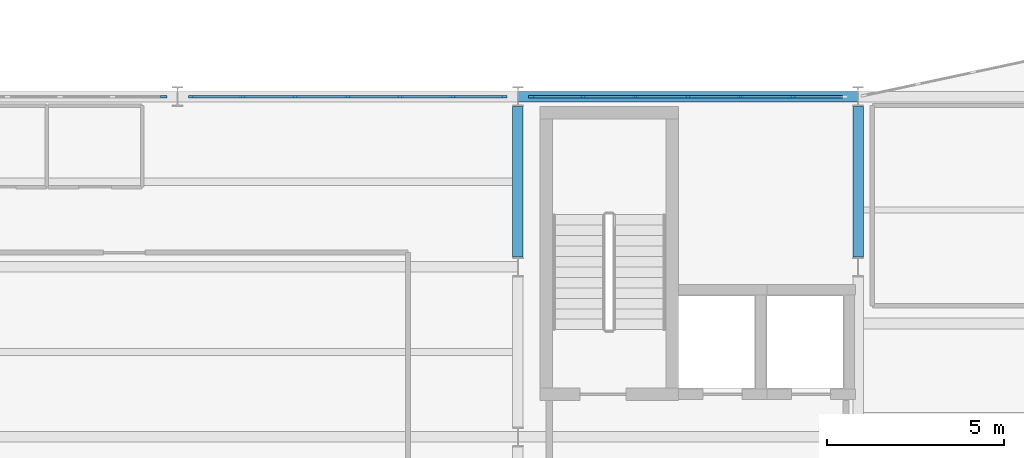
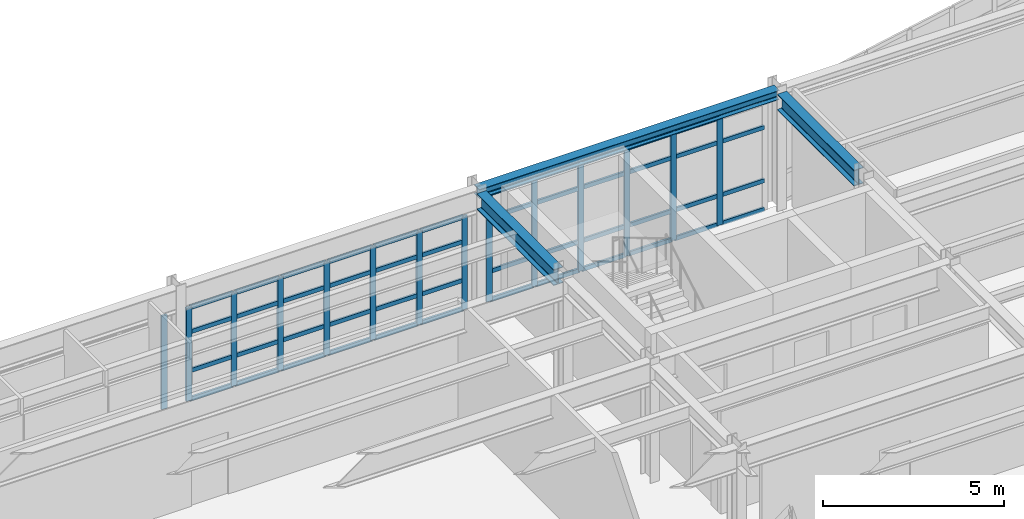
# One storey, part 32 of 76: 61 members, 3 beams, 3 elements without a shape of their own.
"""IFC4 building model written with IfcOpenShell, lengths in metres."""

from ifc_helpers import new_model, si_unit, direction, frame, origin, origin_2d, place, context, subcontext, project, spatial, rectangle, i_section, extrude, material, layer, layer_set, material_profile, profile_set, type_object, element, aggregate, save


model = new_model("IFC4")

# Units and contexts
model_context = context("Model", 3, precision=1e-05, world=origin(), true_north=direction((0.0, 1.0)))
body_context = subcontext(model_context, "Body", "Model", "MODEL_VIEW")
ifc_project = project(units=[si_unit("LENGTHUNIT", "METRE"), si_unit("AREAUNIT", "SQUARE_METRE"), si_unit("VOLUMEUNIT", "CUBIC_METRE"), si_unit("PLANEANGLEUNIT", "RADIAN"), si_unit("MASSUNIT", "GRAM", prefix="KILO")], contexts=[model_context])

# Site, building, storey
site_placement = place(None, origin())
site = spatial("IfcSite", under=ifc_project, at=site_placement, CompositionType="ELEMENT")
building_placement = place(site_placement, origin())
building = spatial("IfcBuilding", under=site, at=building_placement, Name="Nordkorset Police Headquarters", CompositionType="ELEMENT")
storey_placement = place(building_placement, frame((0.0, 0.0, 13.64990234375)))
storey = spatial("IfcBuildingStorey", under=building, at=storey_placement, Name="L03", CompositionType="ELEMENT", Elevation=13.64990234375)

# Curtain wall, member
ifc_material_1 = material(Name="Aluminium alloy AW-6060", Category="aluminium")
ifc_layer_1 = layer(ifc_material_1, 0.179931640625, Name="Aluminium alloy AW-6060")
ifc_layer_set_1 = layer_set([ifc_layer_1], Name="Aluminium alloy AW-6060")
curtain_wall_type_1 = type_object("IfcCurtainWallType", Name="CW_Unit_888x316", PredefinedType="USERDEFINED", material=ifc_layer_set_1)
curtain_wall_1_placement = place(storey_placement, origin())
curtain_wall_1 = element("IfcCurtainWall", 1, at=curtain_wall_1_placement, inside=storey, type_object=curtain_wall_type_1, Name="Unitised Curtain Wall L03 V1N-0", ObjectType="UNITISED CURTAIN WALL", PredefinedType="USERDEFINED")
ifc_material_2 = material(Name="Aluminium alloy AW-6060", Category="aluminium")
ifc_material_profile_1 = material_profile(ifc_material_2, rectangle(XDim=0.06494140625, YDim=0.179931640625, at=origin_2d()), Name="ALU MULL 65x180")
ifc_profile_set_1 = profile_set([ifc_material_profile_1], Name="Aluminium alloy AW-6060")
member_type_1 = type_object("IfcMemberType", Name="CW_Mullion_65x180", PredefinedType="MULLION", material=ifc_profile_set_1)
member_1_placement = place(storey_placement, frame((9.20751953125, 116.800048828125, 0.0), z_axis=(0.0, 0.0, 1.0), x_axis=(0.0, 1.0, 0.0)))
member_1 = element("IfcMember", 2, at=member_1_placement, type_object=member_type_1, Name="CW-109 mullion 7", PredefinedType="MULLION", context=body_context, shape_type="SweptSolid", body=[
    extrude(rectangle(XDim=0.06494140625, YDim=0.179931640625, at=origin_2d()), origin(), (0.0, 0.0, 1.0), 3.16015625),
])
aggregate(curtain_wall_1, [member_1])

# Curtain wall, members
curtain_wall_2_placement = place(storey_placement, origin())
curtain_wall_2 = element("IfcCurtainWall", 3, at=curtain_wall_2_placement, inside=storey, type_object=curtain_wall_type_1, Name="Unitised Curtain Wall L03 V1N-1", ObjectType="UNITISED CURTAIN WALL", PredefinedType="USERDEFINED")
member_2_placement = place(storey_placement, frame((9.992431640625, 116.800048828125, 0.0), z_axis=(0.0, 0.0, 1.0), x_axis=(0.0, 1.0, 0.0)))
member_2 = element("IfcMember", 4, at=member_2_placement, type_object=member_type_1, Name="CW-109 mullion 1", PredefinedType="MULLION", context=body_context, shape_type="SweptSolid", body=[
    extrude(rectangle(XDim=0.06494140625, YDim=0.179931640625, at=origin_2d()), origin(), (0.0, 0.0, 1.0), 3.16015625),
])
member_3_placement = place(storey_placement, frame((11.43994140625, 116.800048828125, 0.0), z_axis=(0.0, 0.0, 1.0), x_axis=(0.0, 1.0, 0.0)))
member_3 = element("IfcMember", 5, at=member_3_placement, type_object=member_type_1, Name="CW-109 mullion 2", PredefinedType="MULLION", context=body_context, shape_type="SweptSolid", body=[
    extrude(rectangle(XDim=0.06494140625, YDim=0.179931640625, at=origin_2d()), origin(), (0.0, 0.0, 1.0), 3.16015625),
])
member_4_placement = place(storey_placement, frame((12.919921875, 116.800048828125, 0.0), z_axis=(0.0, 0.0, 1.0), x_axis=(0.0, 1.0, 0.0)))
member_4 = element("IfcMember", 6, at=member_4_placement, type_object=member_type_1, Name="CW-109 mullion 3", PredefinedType="MULLION", context=body_context, shape_type="SweptSolid", body=[
    extrude(rectangle(XDim=0.06494140625, YDim=0.179931640625, at=origin_2d()), origin(), (0.0, 0.0, 1.0), 3.16015625),
])
member_5_placement = place(storey_placement, frame((14.39990234375, 116.800048828125, 0.0), z_axis=(0.0, 0.0, 1.0), x_axis=(0.0, 1.0, 0.0)))
member_5 = element("IfcMember", 7, at=member_5_placement, type_object=member_type_1, Name="CW-109 mullion 4", PredefinedType="MULLION", context=body_context, shape_type="SweptSolid", body=[
    extrude(rectangle(XDim=0.06494140625, YDim=0.179931640625, at=origin_2d()), origin(), (0.0, 0.0, 1.0), 3.16015625),
])
member_6_placement = place(storey_placement, frame((15.8798828125, 116.800048828125, 0.0), z_axis=(0.0, 0.0, 1.0), x_axis=(0.0, 1.0, 0.0)))
member_6 = element("IfcMember", 8, at=member_6_placement, type_object=member_type_1, Name="CW-109 mullion 5", PredefinedType="MULLION", context=body_context, shape_type="SweptSolid", body=[
    extrude(rectangle(XDim=0.06494140625, YDim=0.179931640625, at=origin_2d()), origin(), (0.0, 0.0, 1.0), 3.16015625),
])
member_7_placement = place(storey_placement, frame((17.360107421875, 116.800048828125, 0.0), z_axis=(0.0, 0.0, 1.0), x_axis=(0.0, 1.0, 0.0)))
member_7 = element("IfcMember", 9, at=member_7_placement, type_object=member_type_1, Name="CW-109 mullion 6", PredefinedType="MULLION", context=body_context, shape_type="SweptSolid", body=[
    extrude(rectangle(XDim=0.06494140625, YDim=0.179931640625, at=origin_2d()), origin(), (0.0, 0.0, 1.0), 3.16015625),
])
member_8_placement = place(storey_placement, frame((18.8076171875, 116.800048828125, 0.0), z_axis=(0.0, 0.0, 1.0), x_axis=(0.0, 1.0, 0.0)))
member_8 = element("IfcMember", 10, at=member_8_placement, type_object=member_type_1, Name="CW-109 mullion 7", PredefinedType="MULLION", context=body_context, shape_type="SweptSolid", body=[
    extrude(rectangle(XDim=0.06494140625, YDim=0.179931640625, at=origin_2d()), origin(), (0.0, 0.0, 1.0), 3.16015625),
])

ifc_material_3 = material(Name="Aluminium alloy AW-6060", Category="aluminium")
ifc_layer_2 = layer(ifc_material_3, 0.179931640625, Name="Aluminium alloy AW-6060")
ifc_layer_set_2 = layer_set([ifc_layer_2], Name="Aluminium alloy AW-6060")
curtain_wall_type_2 = type_object("IfcCurtainWallType", Name="CW_Unit_888x365", PredefinedType="USERDEFINED", material=ifc_layer_set_2)
curtain_wall_3_placement = place(storey_placement, origin())
curtain_wall_3 = element("IfcCurtainWall", 11, at=curtain_wall_3_placement, inside=storey, type_object=curtain_wall_type_2, Name="Unitised Curtain Wall L03 V1N-2", ObjectType="UNITISED CURTAIN WALL", PredefinedType="USERDEFINED")
member_9_placement = place(storey_placement, frame((19.592529296875, 116.800048828125, 0.0), z_axis=(0.0, 0.0, 1.0), x_axis=(0.0, 1.0, 0.0)))
member_9 = element("IfcMember", 12, at=member_9_placement, type_object=member_type_1, Name="CW-26 mullion 1", PredefinedType="MULLION", context=body_context, shape_type="SweptSolid", body=[
    extrude(rectangle(XDim=0.06494140625, YDim=0.179931640625, at=origin_2d()), origin(), (0.0, 0.0, 1.0), 3.650146484375),
])
member_10_placement = place(storey_placement, frame((21.0400390625, 116.800048828125, 0.0), z_axis=(0.0, 0.0, 1.0), x_axis=(0.0, 1.0, 0.0)))
member_10 = element("IfcMember", 13, at=member_10_placement, type_object=member_type_1, Name="CW-26 mullion 2", PredefinedType="MULLION", context=body_context, shape_type="SweptSolid", body=[
    extrude(rectangle(XDim=0.06494140625, YDim=0.179931640625, at=origin_2d()), origin(), (0.0, 0.0, 1.0), 3.650146484375),
])
member_11_placement = place(storey_placement, frame((22.52001953125, 116.800048828125, 0.0), z_axis=(0.0, 0.0, 1.0), x_axis=(0.0, 1.0, 0.0)))
member_11 = element("IfcMember", 14, at=member_11_placement, type_object=member_type_1, Name="CW-26 mullion 3", PredefinedType="MULLION", context=body_context, shape_type="SweptSolid", body=[
    extrude(rectangle(XDim=0.06494140625, YDim=0.179931640625, at=origin_2d()), origin(), (0.0, 0.0, 1.0), 3.650146484375),
])
member_12_placement = place(storey_placement, frame((24.0, 116.800048828125, 0.0), z_axis=(0.0, 0.0, 1.0), x_axis=(0.0, 1.0, 0.0)))
member_12 = element("IfcMember", 15, at=member_12_placement, type_object=member_type_1, Name="CW-26 mullion 4", PredefinedType="MULLION", context=body_context, shape_type="SweptSolid", body=[
    extrude(rectangle(XDim=0.06494140625, YDim=0.179931640625, at=origin_2d()), origin(), (0.0, 0.0, 1.0), 3.650146484375),
])
member_13_placement = place(storey_placement, frame((25.47998046875, 116.800048828125, 0.0), z_axis=(0.0, 0.0, 1.0), x_axis=(0.0, 1.0, 0.0)))
member_13 = element("IfcMember", 16, at=member_13_placement, type_object=member_type_1, Name="CW-26 mullion 5", PredefinedType="MULLION", context=body_context, shape_type="SweptSolid", body=[
    extrude(rectangle(XDim=0.06494140625, YDim=0.179931640625, at=origin_2d()), origin(), (0.0, 0.0, 1.0), 3.650146484375),
])
member_14_placement = place(storey_placement, frame((26.9599609375, 116.800048828125, 0.0), z_axis=(0.0, 0.0, 1.0), x_axis=(0.0, 1.0, 0.0)))
member_14 = element("IfcMember", 17, at=member_14_placement, type_object=member_type_1, Name="CW-26 mullion 6", PredefinedType="MULLION", context=body_context, shape_type="SweptSolid", body=[
    extrude(rectangle(XDim=0.06494140625, YDim=0.179931640625, at=origin_2d()), origin(), (0.0, 0.0, 1.0), 3.650146484375),
])

# Member
ifc_material_4 = material(Name="Aluminium alloy AW-6060", Category="aluminium")
ifc_material_profile_2 = material_profile(ifc_material_4, rectangle(XDim=0.06494140625, YDim=0.139892578125, at=origin_2d()), Name="ALU TRAN 65x140")
ifc_profile_set_2 = profile_set([ifc_material_profile_2], Name="Aluminium alloy AW-6060")
member_type_2 = type_object("IfcMemberType", Name="CW_Transom_65x140", PredefinedType="USERDEFINED", material=ifc_profile_set_2)
member_15_placement = place(storey_placement, frame((10.02490234375, 116.800048828125, 0.03271484375), z_axis=(1.0, 0.0, 0.0), x_axis=(0.0, 1.0, 0.0)))
member_15 = element("IfcMember", 18, at=member_15_placement, type_object=member_type_2, Name="CW-109 transom 1.1", ObjectType="TRANSOM", PredefinedType="USERDEFINED", context=body_context, shape_type="SweptSolid", body=[
    extrude(rectangle(XDim=0.06494140625, YDim=0.139892578125, at=origin_2d()), origin(), (0.0, 0.0, 1.0), 1.382568359375),
])

member_16_placement = place(storey_placement, frame((10.02490234375, 116.800048828125, 1.0), z_axis=(1.0, 0.0, 0.0), x_axis=(0.0, 1.0, 0.0)))
member_16 = element("IfcMember", 19, at=member_16_placement, type_object=member_type_2, Name="CW-109 transom 1.2", ObjectType="TRANSOM", PredefinedType="USERDEFINED", context=body_context, shape_type="SweptSolid", body=[
    extrude(rectangle(XDim=0.06494140625, YDim=0.139892578125, at=origin_2d()), origin(), (0.0, 0.0, 1.0), 1.382568359375),
])

member_17_placement = place(storey_placement, frame((10.02490234375, 116.800048828125, 2.31005859375), z_axis=(1.0, 0.0, 0.0), x_axis=(0.0, 1.0, 0.0)))
member_17 = element("IfcMember", 20, at=member_17_placement, type_object=member_type_2, Name="CW-109 transom 1.3", ObjectType="TRANSOM", PredefinedType="USERDEFINED", context=body_context, shape_type="SweptSolid", body=[
    extrude(rectangle(XDim=0.06494140625, YDim=0.139892578125, at=origin_2d()), origin(), (0.0, 0.0, 1.0), 1.382568359375),
])

member_18_placement = place(storey_placement, frame((10.02490234375, 116.800048828125, 3.127685546875), z_axis=(1.0, 0.0, 0.0), x_axis=(0.0, 1.0, 0.0)))
member_18 = element("IfcMember", 21, at=member_18_placement, type_object=member_type_2, Name="CW-109 transom 1.4", ObjectType="TRANSOM", PredefinedType="USERDEFINED", context=body_context, shape_type="SweptSolid", body=[
    extrude(rectangle(XDim=0.06494140625, YDim=0.139892578125, at=origin_2d()), origin(), (0.0, 0.0, 1.0), 1.382568359375),
])

member_19_placement = place(storey_placement, frame((11.472412109375, 116.800048828125, 0.03271484375), z_axis=(1.0, 0.0, 0.0), x_axis=(0.0, 1.0, 0.0)))
member_19 = element("IfcMember", 22, at=member_19_placement, type_object=member_type_2, Name="CW-109 transom 2.1", ObjectType="TRANSOM", PredefinedType="USERDEFINED", context=body_context, shape_type="SweptSolid", body=[
    extrude(rectangle(XDim=0.06494140625, YDim=0.139892578125, at=origin_2d()), origin(), (0.0, 0.0, 1.0), 1.4150390625),
])

member_20_placement = place(storey_placement, frame((11.472412109375, 116.800048828125, 1.0), z_axis=(1.0, 0.0, 0.0), x_axis=(0.0, 1.0, 0.0)))
member_20 = element("IfcMember", 23, at=member_20_placement, type_object=member_type_2, Name="CW-109 transom 2.2", ObjectType="TRANSOM", PredefinedType="USERDEFINED", context=body_context, shape_type="SweptSolid", body=[
    extrude(rectangle(XDim=0.06494140625, YDim=0.139892578125, at=origin_2d()), origin(), (0.0, 0.0, 1.0), 1.4150390625),
])

member_21_placement = place(storey_placement, frame((11.472412109375, 116.800048828125, 2.31005859375), z_axis=(1.0, 0.0, 0.0), x_axis=(0.0, 1.0, 0.0)))
member_21 = element("IfcMember", 24, at=member_21_placement, type_object=member_type_2, Name="CW-109 transom 2.3", ObjectType="TRANSOM", PredefinedType="USERDEFINED", context=body_context, shape_type="SweptSolid", body=[
    extrude(rectangle(XDim=0.06494140625, YDim=0.139892578125, at=origin_2d()), origin(), (0.0, 0.0, 1.0), 1.4150390625),
])

member_22_placement = place(storey_placement, frame((11.472412109375, 116.800048828125, 3.127685546875), z_axis=(1.0, 0.0, 0.0), x_axis=(0.0, 1.0, 0.0)))
member_22 = element("IfcMember", 25, at=member_22_placement, type_object=member_type_2, Name="CW-109 transom 2.4", ObjectType="TRANSOM", PredefinedType="USERDEFINED", context=body_context, shape_type="SweptSolid", body=[
    extrude(rectangle(XDim=0.06494140625, YDim=0.139892578125, at=origin_2d()), origin(), (0.0, 0.0, 1.0), 1.4150390625),
])

member_23_placement = place(storey_placement, frame((12.952392578125, 116.800048828125, 0.03271484375), z_axis=(1.0, 0.0, 0.0), x_axis=(0.0, 1.0, 0.0)))
member_23 = element("IfcMember", 26, at=member_23_placement, type_object=member_type_2, Name="CW-109 transom 3.1", ObjectType="TRANSOM", PredefinedType="USERDEFINED", context=body_context, shape_type="SweptSolid", body=[
    extrude(rectangle(XDim=0.06494140625, YDim=0.139892578125, at=origin_2d()), origin(), (0.0, 0.0, 1.0), 1.4150390625),
])

member_24_placement = place(storey_placement, frame((12.952392578125, 116.800048828125, 1.0), z_axis=(1.0, 0.0, 0.0), x_axis=(0.0, 1.0, 0.0)))
member_24 = element("IfcMember", 27, at=member_24_placement, type_object=member_type_2, Name="CW-109 transom 3.2", ObjectType="TRANSOM", PredefinedType="USERDEFINED", context=body_context, shape_type="SweptSolid", body=[
    extrude(rectangle(XDim=0.06494140625, YDim=0.139892578125, at=origin_2d()), origin(), (0.0, 0.0, 1.0), 1.4150390625),
])

member_25_placement = place(storey_placement, frame((12.952392578125, 116.800048828125, 2.31005859375), z_axis=(1.0, 0.0, 0.0), x_axis=(0.0, 1.0, 0.0)))
member_25 = element("IfcMember", 28, at=member_25_placement, type_object=member_type_2, Name="CW-109 transom 3.3", ObjectType="TRANSOM", PredefinedType="USERDEFINED", context=body_context, shape_type="SweptSolid", body=[
    extrude(rectangle(XDim=0.06494140625, YDim=0.139892578125, at=origin_2d()), origin(), (0.0, 0.0, 1.0), 1.4150390625),
])

member_26_placement = place(storey_placement, frame((12.952392578125, 116.800048828125, 3.127685546875), z_axis=(1.0, 0.0, 0.0), x_axis=(0.0, 1.0, 0.0)))
member_26 = element("IfcMember", 29, at=member_26_placement, type_object=member_type_2, Name="CW-109 transom 3.4", ObjectType="TRANSOM", PredefinedType="USERDEFINED", context=body_context, shape_type="SweptSolid", body=[
    extrude(rectangle(XDim=0.06494140625, YDim=0.139892578125, at=origin_2d()), origin(), (0.0, 0.0, 1.0), 1.4150390625),
])

member_27_placement = place(storey_placement, frame((14.4326171875, 116.800048828125, 0.03271484375), z_axis=(1.0, 0.0, 0.0), x_axis=(0.0, 1.0, 0.0)))
member_27 = element("IfcMember", 30, at=member_27_placement, type_object=member_type_2, Name="CW-109 transom 4.1", ObjectType="TRANSOM", PredefinedType="USERDEFINED", context=body_context, shape_type="SweptSolid", body=[
    extrude(rectangle(XDim=0.06494140625, YDim=0.139892578125, at=origin_2d()), origin(), (0.0, 0.0, 1.0), 1.414794921875),
])

member_28_placement = place(storey_placement, frame((14.4326171875, 116.800048828125, 1.0), z_axis=(1.0, 0.0, 0.0), x_axis=(0.0, 1.0, 0.0)))
member_28 = element("IfcMember", 31, at=member_28_placement, type_object=member_type_2, Name="CW-109 transom 4.2", ObjectType="TRANSOM", PredefinedType="USERDEFINED", context=body_context, shape_type="SweptSolid", body=[
    extrude(rectangle(XDim=0.06494140625, YDim=0.139892578125, at=origin_2d()), origin(), (0.0, 0.0, 1.0), 1.414794921875),
])

member_29_placement = place(storey_placement, frame((14.4326171875, 116.800048828125, 2.31005859375), z_axis=(1.0, 0.0, 0.0), x_axis=(0.0, 1.0, 0.0)))
member_29 = element("IfcMember", 32, at=member_29_placement, type_object=member_type_2, Name="CW-109 transom 4.3", ObjectType="TRANSOM", PredefinedType="USERDEFINED", context=body_context, shape_type="SweptSolid", body=[
    extrude(rectangle(XDim=0.06494140625, YDim=0.139892578125, at=origin_2d()), origin(), (0.0, 0.0, 1.0), 1.414794921875),
])

member_30_placement = place(storey_placement, frame((14.4326171875, 116.800048828125, 3.127685546875), z_axis=(1.0, 0.0, 0.0), x_axis=(0.0, 1.0, 0.0)))
member_30 = element("IfcMember", 33, at=member_30_placement, type_object=member_type_2, Name="CW-109 transom 4.4", ObjectType="TRANSOM", PredefinedType="USERDEFINED", context=body_context, shape_type="SweptSolid", body=[
    extrude(rectangle(XDim=0.06494140625, YDim=0.139892578125, at=origin_2d()), origin(), (0.0, 0.0, 1.0), 1.414794921875),
])

member_31_placement = place(storey_placement, frame((15.91259765625, 116.800048828125, 0.03271484375), z_axis=(1.0, 0.0, 0.0), x_axis=(0.0, 1.0, 0.0)))
member_31 = element("IfcMember", 34, at=member_31_placement, type_object=member_type_2, Name="CW-109 transom 5.1", ObjectType="TRANSOM", PredefinedType="USERDEFINED", context=body_context, shape_type="SweptSolid", body=[
    extrude(rectangle(XDim=0.06494140625, YDim=0.139892578125, at=origin_2d()), origin(), (0.0, 0.0, 1.0), 1.414794921875),
])

member_32_placement = place(storey_placement, frame((15.91259765625, 116.800048828125, 1.0), z_axis=(1.0, 0.0, 0.0), x_axis=(0.0, 1.0, 0.0)))
member_32 = element("IfcMember", 35, at=member_32_placement, type_object=member_type_2, Name="CW-109 transom 5.2", ObjectType="TRANSOM", PredefinedType="USERDEFINED", context=body_context, shape_type="SweptSolid", body=[
    extrude(rectangle(XDim=0.06494140625, YDim=0.139892578125, at=origin_2d()), origin(), (0.0, 0.0, 1.0), 1.414794921875),
])

member_33_placement = place(storey_placement, frame((15.91259765625, 116.800048828125, 2.31005859375), z_axis=(1.0, 0.0, 0.0), x_axis=(0.0, 1.0, 0.0)))
member_33 = element("IfcMember", 36, at=member_33_placement, type_object=member_type_2, Name="CW-109 transom 5.3", ObjectType="TRANSOM", PredefinedType="USERDEFINED", context=body_context, shape_type="SweptSolid", body=[
    extrude(rectangle(XDim=0.06494140625, YDim=0.139892578125, at=origin_2d()), origin(), (0.0, 0.0, 1.0), 1.414794921875),
])

member_34_placement = place(storey_placement, frame((15.91259765625, 116.800048828125, 3.127685546875), z_axis=(1.0, 0.0, 0.0), x_axis=(0.0, 1.0, 0.0)))
member_34 = element("IfcMember", 37, at=member_34_placement, type_object=member_type_2, Name="CW-109 transom 5.4", ObjectType="TRANSOM", PredefinedType="USERDEFINED", context=body_context, shape_type="SweptSolid", body=[
    extrude(rectangle(XDim=0.06494140625, YDim=0.139892578125, at=origin_2d()), origin(), (0.0, 0.0, 1.0), 1.414794921875),
])

member_35_placement = place(storey_placement, frame((17.392578125, 116.800048828125, 0.03271484375), z_axis=(1.0, 0.0, 0.0), x_axis=(0.0, 1.0, 0.0)))
member_35 = element("IfcMember", 38, at=member_35_placement, type_object=member_type_2, Name="CW-109 transom 6.1", ObjectType="TRANSOM", PredefinedType="USERDEFINED", context=body_context, shape_type="SweptSolid", body=[
    extrude(rectangle(XDim=0.06494140625, YDim=0.139892578125, at=origin_2d()), origin(), (0.0, 0.0, 1.0), 1.38232421875),
])

member_36_placement = place(storey_placement, frame((17.392578125, 116.800048828125, 1.0), z_axis=(1.0, 0.0, 0.0), x_axis=(0.0, 1.0, 0.0)))
member_36 = element("IfcMember", 39, at=member_36_placement, type_object=member_type_2, Name="CW-109 transom 6.2", ObjectType="TRANSOM", PredefinedType="USERDEFINED", context=body_context, shape_type="SweptSolid", body=[
    extrude(rectangle(XDim=0.06494140625, YDim=0.139892578125, at=origin_2d()), origin(), (0.0, 0.0, 1.0), 1.38232421875),
])

member_37_placement = place(storey_placement, frame((17.392578125, 116.800048828125, 2.31005859375), z_axis=(1.0, 0.0, 0.0), x_axis=(0.0, 1.0, 0.0)))
member_37 = element("IfcMember", 40, at=member_37_placement, type_object=member_type_2, Name="CW-109 transom 6.3", ObjectType="TRANSOM", PredefinedType="USERDEFINED", context=body_context, shape_type="SweptSolid", body=[
    extrude(rectangle(XDim=0.06494140625, YDim=0.139892578125, at=origin_2d()), origin(), (0.0, 0.0, 1.0), 1.38232421875),
])

member_38_placement = place(storey_placement, frame((17.392578125, 116.800048828125, 3.127685546875), z_axis=(1.0, 0.0, 0.0), x_axis=(0.0, 1.0, 0.0)))
member_38 = element("IfcMember", 41, at=member_38_placement, type_object=member_type_2, Name="CW-109 transom 6.4", ObjectType="TRANSOM", PredefinedType="USERDEFINED", context=body_context, shape_type="SweptSolid", body=[
    extrude(rectangle(XDim=0.06494140625, YDim=0.139892578125, at=origin_2d()), origin(), (0.0, 0.0, 1.0), 1.38232421875),
])

aggregate(curtain_wall_2, [member_2, member_3, member_4, member_5, member_6, member_7, member_8, member_15, member_16, member_17, member_18, member_19, member_20, member_21, member_22, member_23, member_24, member_25, member_26, member_27, member_28, member_29, member_30, member_31, member_32, member_33, member_34, member_35, member_36, member_37, member_38])

member_39_placement = place(storey_placement, frame((19.625, 116.800048828125, 0.03271484375), z_axis=(1.0, 0.0, 0.0), x_axis=(0.0, 1.0, 0.0)))
member_39 = element("IfcMember", 42, at=member_39_placement, type_object=member_type_2, Name="CW-26 transom 1.1", ObjectType="TRANSOM", PredefinedType="USERDEFINED", context=body_context, shape_type="SweptSolid", body=[
    extrude(rectangle(XDim=0.06494140625, YDim=0.139892578125, at=origin_2d()), origin(), (0.0, 0.0, 1.0), 1.382568359375),
])

member_40_placement = place(storey_placement, frame((19.625, 116.800048828125, 1.0), z_axis=(1.0, 0.0, 0.0), x_axis=(0.0, 1.0, 0.0)))
member_40 = element("IfcMember", 43, at=member_40_placement, type_object=member_type_2, Name="CW-26 transom 1.2", ObjectType="TRANSOM", PredefinedType="USERDEFINED", context=body_context, shape_type="SweptSolid", body=[
    extrude(rectangle(XDim=0.06494140625, YDim=0.139892578125, at=origin_2d()), origin(), (0.0, 0.0, 1.0), 1.382568359375),
])

member_41_placement = place(storey_placement, frame((19.625, 116.800048828125, 2.800048828125), z_axis=(1.0, 0.0, 0.0), x_axis=(0.0, 1.0, 0.0)))
member_41 = element("IfcMember", 44, at=member_41_placement, type_object=member_type_2, Name="CW-26 transom 1.3", ObjectType="TRANSOM", PredefinedType="USERDEFINED", context=body_context, shape_type="SweptSolid", body=[
    extrude(rectangle(XDim=0.06494140625, YDim=0.139892578125, at=origin_2d()), origin(), (0.0, 0.0, 1.0), 1.382568359375),
])

member_42_placement = place(storey_placement, frame((19.625, 116.800048828125, 3.61767578125), z_axis=(1.0, 0.0, 0.0), x_axis=(0.0, 1.0, 0.0)))
member_42 = element("IfcMember", 45, at=member_42_placement, type_object=member_type_2, Name="CW-26 transom 1.4", ObjectType="TRANSOM", PredefinedType="USERDEFINED", context=body_context, shape_type="SweptSolid", body=[
    extrude(rectangle(XDim=0.06494140625, YDim=0.139892578125, at=origin_2d()), origin(), (0.0, 0.0, 1.0), 1.382568359375),
])

member_43_placement = place(storey_placement, frame((21.072509765625, 116.800048828125, 0.03271484375), z_axis=(1.0, 0.0, 0.0), x_axis=(0.0, 1.0, 0.0)))
member_43 = element("IfcMember", 46, at=member_43_placement, type_object=member_type_2, Name="CW-26 transom 2.1", ObjectType="TRANSOM", PredefinedType="USERDEFINED", context=body_context, shape_type="SweptSolid", body=[
    extrude(rectangle(XDim=0.06494140625, YDim=0.139892578125, at=origin_2d()), origin(), (0.0, 0.0, 1.0), 1.4150390625),
])

member_44_placement = place(storey_placement, frame((21.072509765625, 116.800048828125, 1.0), z_axis=(1.0, 0.0, 0.0), x_axis=(0.0, 1.0, 0.0)))
member_44 = element("IfcMember", 47, at=member_44_placement, type_object=member_type_2, Name="CW-26 transom 2.2", ObjectType="TRANSOM", PredefinedType="USERDEFINED", context=body_context, shape_type="SweptSolid", body=[
    extrude(rectangle(XDim=0.06494140625, YDim=0.139892578125, at=origin_2d()), origin(), (0.0, 0.0, 1.0), 1.4150390625),
])

member_45_placement = place(storey_placement, frame((21.072509765625, 116.800048828125, 2.800048828125), z_axis=(1.0, 0.0, 0.0), x_axis=(0.0, 1.0, 0.0)))
member_45 = element("IfcMember", 48, at=member_45_placement, type_object=member_type_2, Name="CW-26 transom 2.3", ObjectType="TRANSOM", PredefinedType="USERDEFINED", context=body_context, shape_type="SweptSolid", body=[
    extrude(rectangle(XDim=0.06494140625, YDim=0.139892578125, at=origin_2d()), origin(), (0.0, 0.0, 1.0), 1.4150390625),
])

member_46_placement = place(storey_placement, frame((21.072509765625, 116.800048828125, 3.61767578125), z_axis=(1.0, 0.0, 0.0), x_axis=(0.0, 1.0, 0.0)))
member_46 = element("IfcMember", 49, at=member_46_placement, type_object=member_type_2, Name="CW-26 transom 2.4", ObjectType="TRANSOM", PredefinedType="USERDEFINED", context=body_context, shape_type="SweptSolid", body=[
    extrude(rectangle(XDim=0.06494140625, YDim=0.139892578125, at=origin_2d()), origin(), (0.0, 0.0, 1.0), 1.4150390625),
])

member_47_placement = place(storey_placement, frame((22.552490234375, 116.800048828125, 0.03271484375), z_axis=(1.0, 0.0, 0.0), x_axis=(0.0, 1.0, 0.0)))
member_47 = element("IfcMember", 50, at=member_47_placement, type_object=member_type_2, Name="CW-26 transom 3.1", ObjectType="TRANSOM", PredefinedType="USERDEFINED", context=body_context, shape_type="SweptSolid", body=[
    extrude(rectangle(XDim=0.06494140625, YDim=0.139892578125, at=origin_2d()), origin(), (0.0, 0.0, 1.0), 1.4150390625),
])

member_48_placement = place(storey_placement, frame((22.552490234375, 116.800048828125, 1.0), z_axis=(1.0, 0.0, 0.0), x_axis=(0.0, 1.0, 0.0)))
member_48 = element("IfcMember", 51, at=member_48_placement, type_object=member_type_2, Name="CW-26 transom 3.2", ObjectType="TRANSOM", PredefinedType="USERDEFINED", context=body_context, shape_type="SweptSolid", body=[
    extrude(rectangle(XDim=0.06494140625, YDim=0.139892578125, at=origin_2d()), origin(), (0.0, 0.0, 1.0), 1.4150390625),
])

member_49_placement = place(storey_placement, frame((22.552490234375, 116.800048828125, 2.800048828125), z_axis=(1.0, 0.0, 0.0), x_axis=(0.0, 1.0, 0.0)))
member_49 = element("IfcMember", 52, at=member_49_placement, type_object=member_type_2, Name="CW-26 transom 3.3", ObjectType="TRANSOM", PredefinedType="USERDEFINED", context=body_context, shape_type="SweptSolid", body=[
    extrude(rectangle(XDim=0.06494140625, YDim=0.139892578125, at=origin_2d()), origin(), (0.0, 0.0, 1.0), 1.4150390625),
])

member_50_placement = place(storey_placement, frame((22.552490234375, 116.800048828125, 3.61767578125), z_axis=(1.0, 0.0, 0.0), x_axis=(0.0, 1.0, 0.0)))
member_50 = element("IfcMember", 53, at=member_50_placement, type_object=member_type_2, Name="CW-26 transom 3.4", ObjectType="TRANSOM", PredefinedType="USERDEFINED", context=body_context, shape_type="SweptSolid", body=[
    extrude(rectangle(XDim=0.06494140625, YDim=0.139892578125, at=origin_2d()), origin(), (0.0, 0.0, 1.0), 1.4150390625),
])

member_51_placement = place(storey_placement, frame((24.032470703125, 116.800048828125, 0.03271484375), z_axis=(1.0, 0.0, 0.0), x_axis=(0.0, 1.0, 0.0)))
member_51 = element("IfcMember", 54, at=member_51_placement, type_object=member_type_2, Name="CW-26 transom 4.1", ObjectType="TRANSOM", PredefinedType="USERDEFINED", context=body_context, shape_type="SweptSolid", body=[
    extrude(rectangle(XDim=0.06494140625, YDim=0.139892578125, at=origin_2d()), origin(), (0.0, 0.0, 1.0), 1.4150390625),
])

member_52_placement = place(storey_placement, frame((24.032470703125, 116.800048828125, 1.0), z_axis=(1.0, 0.0, 0.0), x_axis=(0.0, 1.0, 0.0)))
member_52 = element("IfcMember", 55, at=member_52_placement, type_object=member_type_2, Name="CW-26 transom 4.2", ObjectType="TRANSOM", PredefinedType="USERDEFINED", context=body_context, shape_type="SweptSolid", body=[
    extrude(rectangle(XDim=0.06494140625, YDim=0.139892578125, at=origin_2d()), origin(), (0.0, 0.0, 1.0), 1.4150390625),
])

member_53_placement = place(storey_placement, frame((24.032470703125, 116.800048828125, 2.800048828125), z_axis=(1.0, 0.0, 0.0), x_axis=(0.0, 1.0, 0.0)))
member_53 = element("IfcMember", 56, at=member_53_placement, type_object=member_type_2, Name="CW-26 transom 4.3", ObjectType="TRANSOM", PredefinedType="USERDEFINED", context=body_context, shape_type="SweptSolid", body=[
    extrude(rectangle(XDim=0.06494140625, YDim=0.139892578125, at=origin_2d()), origin(), (0.0, 0.0, 1.0), 1.4150390625),
])

member_54_placement = place(storey_placement, frame((24.032470703125, 116.800048828125, 3.61767578125), z_axis=(1.0, 0.0, 0.0), x_axis=(0.0, 1.0, 0.0)))
member_54 = element("IfcMember", 57, at=member_54_placement, type_object=member_type_2, Name="CW-26 transom 4.4", ObjectType="TRANSOM", PredefinedType="USERDEFINED", context=body_context, shape_type="SweptSolid", body=[
    extrude(rectangle(XDim=0.06494140625, YDim=0.139892578125, at=origin_2d()), origin(), (0.0, 0.0, 1.0), 1.4150390625),
])

member_55_placement = place(storey_placement, frame((25.512451171875, 116.800048828125, 0.03271484375), z_axis=(1.0, 0.0, 0.0), x_axis=(0.0, 1.0, 0.0)))
member_55 = element("IfcMember", 58, at=member_55_placement, type_object=member_type_2, Name="CW-26 transom 5.1", ObjectType="TRANSOM", PredefinedType="USERDEFINED", context=body_context, shape_type="SweptSolid", body=[
    extrude(rectangle(XDim=0.06494140625, YDim=0.139892578125, at=origin_2d()), origin(), (0.0, 0.0, 1.0), 1.4150390625),
])

member_56_placement = place(storey_placement, frame((25.512451171875, 116.800048828125, 1.0), z_axis=(1.0, 0.0, 0.0), x_axis=(0.0, 1.0, 0.0)))
member_56 = element("IfcMember", 59, at=member_56_placement, type_object=member_type_2, Name="CW-26 transom 5.2", ObjectType="TRANSOM", PredefinedType="USERDEFINED", context=body_context, shape_type="SweptSolid", body=[
    extrude(rectangle(XDim=0.06494140625, YDim=0.139892578125, at=origin_2d()), origin(), (0.0, 0.0, 1.0), 1.4150390625),
])

member_57_placement = place(storey_placement, frame((25.512451171875, 116.800048828125, 2.800048828125), z_axis=(1.0, 0.0, 0.0), x_axis=(0.0, 1.0, 0.0)))
member_57 = element("IfcMember", 60, at=member_57_placement, type_object=member_type_2, Name="CW-26 transom 5.3", ObjectType="TRANSOM", PredefinedType="USERDEFINED", context=body_context, shape_type="SweptSolid", body=[
    extrude(rectangle(XDim=0.06494140625, YDim=0.139892578125, at=origin_2d()), origin(), (0.0, 0.0, 1.0), 1.4150390625),
])

member_58_placement = place(storey_placement, frame((25.512451171875, 116.800048828125, 3.61767578125), z_axis=(1.0, 0.0, 0.0), x_axis=(0.0, 1.0, 0.0)))
member_58 = element("IfcMember", 61, at=member_58_placement, type_object=member_type_2, Name="CW-26 transom 5.4", ObjectType="TRANSOM", PredefinedType="USERDEFINED", context=body_context, shape_type="SweptSolid", body=[
    extrude(rectangle(XDim=0.06494140625, YDim=0.139892578125, at=origin_2d()), origin(), (0.0, 0.0, 1.0), 1.4150390625),
])

member_59_placement = place(storey_placement, frame((26.992431640625, 116.800048828125, 0.03271484375), z_axis=(1.0, 0.0, 0.0), x_axis=(0.0, 1.0, 0.0)))
member_59 = element("IfcMember", 62, at=member_59_placement, type_object=member_type_2, Name="CW-26 transom 6.1", ObjectType="TRANSOM", PredefinedType="USERDEFINED", context=body_context, shape_type="SweptSolid", body=[
    extrude(rectangle(XDim=0.06494140625, YDim=0.139892578125, at=origin_2d()), origin(), (0.0, 0.0, 1.0), 1.382568359375),
])

member_60_placement = place(storey_placement, frame((26.992431640625, 116.800048828125, 1.0), z_axis=(1.0, 0.0, 0.0), x_axis=(0.0, 1.0, 0.0)))
member_60 = element("IfcMember", 63, at=member_60_placement, type_object=member_type_2, Name="CW-26 transom 6.2", ObjectType="TRANSOM", PredefinedType="USERDEFINED", context=body_context, shape_type="SweptSolid", body=[
    extrude(rectangle(XDim=0.06494140625, YDim=0.139892578125, at=origin_2d()), origin(), (0.0, 0.0, 1.0), 1.382568359375),
])

member_61_placement = place(storey_placement, frame((26.992431640625, 116.800048828125, 2.800048828125), z_axis=(1.0, 0.0, 0.0), x_axis=(0.0, 1.0, 0.0)))
member_61 = element("IfcMember", 64, at=member_61_placement, type_object=member_type_2, Name="CW-26 transom 6.3", ObjectType="TRANSOM", PredefinedType="USERDEFINED", context=body_context, shape_type="SweptSolid", body=[
    extrude(rectangle(XDim=0.06494140625, YDim=0.139892578125, at=origin_2d()), origin(), (0.0, 0.0, 1.0), 1.382568359375),
])

aggregate(curtain_wall_3, [member_9, member_10, member_11, member_12, member_13, member_14, member_39, member_40, member_41, member_42, member_43, member_44, member_45, member_46, member_47, member_48, member_49, member_50, member_51, member_52, member_53, member_54, member_55, member_56, member_57, member_58, member_59, member_60, member_61])

# Beams
ifc_material_5 = material(Name="Steel S355J2", Category="steel")
ifc_material_profile_3 = material_profile(ifc_material_5, i_section(OverallWidth=0.300048828125, OverallDepth=0.5400390625, WebThickness=0.012451171875, FlangeThickness=0.02392578125, FilletRadius=0.027099609375, at=origin_2d()), Name="HEA 550")
ifc_profile_set_3 = profile_set([ifc_material_profile_3], Name="Steel S355J2")
beam_type_1 = type_object("IfcBeamType", Name="Girder_HEA_550", PredefinedType="USERDEFINED", material=ifc_profile_set_3)
for number, where, z_axis, x_axis, name in (
    (65, (19.199951171875, 112.27490234375, 3.710205078125), (0.0, 1.0, 0.0), (-1.0, 0.0, 0.0), "Girder V1 L03 GY-1-6"),
    (66, (28.800048828125, 112.27490234375, 3.710205078125), (0.0, 1.0, 0.0), (-1.0, 0.0, 0.0), "Girder V1 L03 GY-2-6"),
):
    element("IfcBeam", number, at=place(storey_placement, frame(where, z_axis=z_axis, x_axis=x_axis)), inside=storey, type_object=beam_type_1, Name=name, ObjectType="GIRDER", PredefinedType="USERDEFINED", context=body_context, shape_type="SweptSolid", body=[
        extrude(i_section(OverallWidth=0.300048828125, OverallDepth=0.5400390625, WebThickness=0.012451171875, FlangeThickness=0.02392578125, FilletRadius=0.027099609375, at=origin_2d()), origin(), (0.0, 0.0, 1.0), 4.25),
    ])
ifc_material_6 = material(Name="Steel S355J2", Category="steel")
ifc_material_profile_4 = material_profile(ifc_material_6, i_section(OverallWidth=0.300048828125, OverallDepth=0.31005859375, WebThickness=0.009033203125, FlangeThickness=0.015380859375, FilletRadius=0.027099609375, at=origin_2d()), Name="HEA 320")
ifc_profile_set_4 = profile_set([ifc_material_profile_4], Name="Steel S355J2")
beam_type_2 = type_object("IfcBeamType", Name="Spandrel_HEA_320", PredefinedType="SPANDREL", material=ifc_profile_set_4)
beam_placement = place(storey_placement, frame((19.20751953125, 116.800048828125, 3.8251953125), z_axis=(1.0, 0.0, 0.0), x_axis=(0.0, 1.0, 0.0)))
element("IfcBeam", 67, at=beam_placement, inside=storey, type_object=beam_type_2, Name="Girder V1 L03 GX-7-1", PredefinedType="SPANDREL", context=body_context, shape_type="SweptSolid", body=[
    extrude(i_section(OverallWidth=0.300048828125, OverallDepth=0.31005859375, WebThickness=0.009033203125, FlangeThickness=0.015380859375, FilletRadius=0.027099609375, at=origin_2d()), origin(), (0.0, 0.0, 1.0), 9.5849609375),
])

save(model, "model.ifc")
